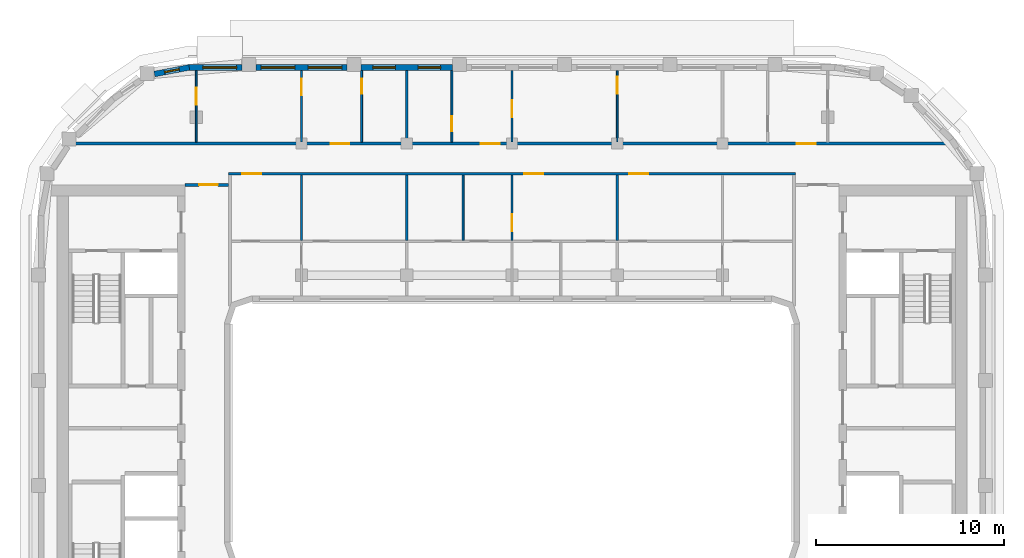
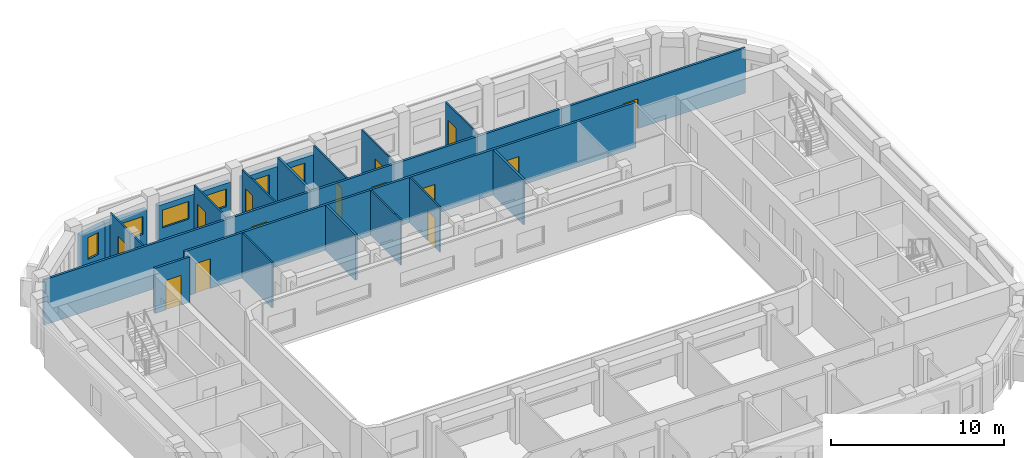
# One storey, part 7 of 16: 19 walls, 14 doors, 6 windows, 20 openings.
"""IFC4 building model written with IfcOpenShell, lengths in metres."""

from ifc_helpers import new_model, si_unit, direction, frame, frame_2d, origin, place, context, subcontext, project, spatial, rectangle, extrude, material, layer, layer_set, type_object, element, fill, save


model = new_model("IFC4")

# Units and contexts
model_context = context("Model", 3, precision=1e-05, world=origin(), true_north=direction((0.0, 1.0)))
body_context = subcontext(model_context, "Body", "Model", "MODEL_VIEW")
ifc_project = project(units=[si_unit("LENGTHUNIT", "METRE"), si_unit("AREAUNIT", "SQUARE_METRE"), si_unit("VOLUMEUNIT", "CUBIC_METRE"), si_unit("PLANEANGLEUNIT", "RADIAN"), si_unit("MASSUNIT", "GRAM", prefix="KILO")], contexts=[model_context])

# Site, building, storey
site_placement = place(None, origin())
site = spatial("IfcSite", under=ifc_project, at=site_placement, CompositionType="ELEMENT")
building_placement = place(site_placement, origin())
building = spatial("IfcBuilding", under=site, at=building_placement, Name="Kiln Ring Residences", CompositionType="ELEMENT")
storey_placement = place(building_placement, frame((0.0, 0.0, 276.699951171875)))
storey = spatial("IfcBuildingStorey", under=building, at=storey_placement, Name="L72", CompositionType="ELEMENT", Elevation=276.699951171875)

# Wall, openings, windows
ifc_material_1 = material(Name="Brick masonry, dark clay brick", Category="masonry")
ifc_layer_1 = layer(ifc_material_1, 0.300048828125)
ifc_layer_set_1 = layer_set([ifc_layer_1], Name="EW-300 BRICK WALL")
wall_type_1 = type_object("IfcWallType", Name="EW-300 BRICK WALL", PredefinedType="SOLIDWALL", material=ifc_layer_set_1)
wall_1_placement = place(storey_placement, frame((-3.175048828125, 19.449951171875, 0.0), z_axis=(0.0, 0.0, 1.0), x_axis=(-1.0, 0.0, 0.0)))
wall_1 = element("IfcWall", 1, at=wall_1_placement, inside=storey, type_object=wall_type_1, Name="Facade wall L72 30", PredefinedType="SOLIDWALL", context=body_context, shape_type="SweptSolid", body=[
    extrude(rectangle(XDim=4.849853515625, YDim=0.300048828125, at=frame_2d((2.4248046875, 0.0))), origin(), (0.0, 0.0, 1.0), 2.550048828125),
])
opening_1_placement = place(wall_1_placement, frame((0.625, 0.0, 0.60009765625)))
opening_1 = element("IfcOpeningElement", 2, at=opening_1_placement, cuts=wall_1, Name="Opening W1", PredefinedType="OPENING", context=body_context, shape_type="SweptSolid", body=[
    extrude(rectangle(XDim=1.199951171875, YDim=1.550048828125, at=frame_2d((0.60009765625, 0.77490234375))), frame((0.0, 0.159912109375, 0.0), z_axis=(0.0, -1.0, 0.0), x_axis=(1.0, 0.0, 0.0)), (0.0, 0.0, 1.0), 0.320068359375),
])
opening_2_placement = place(wall_1_placement, frame((3.02490234375, 0.0, 0.60009765625)))
opening_2 = element("IfcOpeningElement", 3, at=opening_2_placement, cuts=wall_1, Name="Opening W1", PredefinedType="OPENING", context=body_context, shape_type="SweptSolid", body=[
    extrude(rectangle(XDim=1.199951171875, YDim=1.550048828125, at=frame_2d((0.60009765625, 0.77490234375))), frame((0.0, 0.159912109375, 0.0), z_axis=(0.0, -1.0, 0.0), x_axis=(1.0, 0.0, 0.0)), (0.0, 0.0, 1.0), 0.320068359375),
])
ifc_material_2 = material(Name="Aluminium frame with double glazing", Category="aluminium")
window_type_1 = type_object("IfcWindowType", Name="WINDOW 1200 x 1550", PartitioningType="SINGLE_PANEL", PredefinedType="WINDOW", material=ifc_material_2)
window_1_placement = place(opening_1_placement, origin())
window_1 = element("IfcWindow", 4, at=window_1_placement, inside=storey, type_object=window_type_1, Name="Window L72 28", OverallHeight=1.550048828125, OverallWidth=1.199951171875, PartitioningType="SINGLE_PANEL", PredefinedType="WINDOW", context=body_context, shape_type="SweptSolid", body=[
    extrude(rectangle(XDim=1.199951171875, YDim=1.550048828125, at=frame_2d((0.60009765625, 0.77490234375))), frame((0.0, 0.030029296875, 0.0), z_axis=(0.0, -1.0, 0.0), x_axis=(1.0, 0.0, 0.0)), (0.0, 0.0, 1.0), 0.06005859375),
])
fill(opening_1, window_1)
window_2_placement = place(opening_2_placement, origin())
window_2 = element("IfcWindow", 5, at=window_2_placement, inside=storey, type_object=window_type_1, Name="Window L72 29", OverallHeight=1.550048828125, OverallWidth=1.199951171875, PartitioningType="SINGLE_PANEL", PredefinedType="WINDOW", context=body_context, shape_type="SweptSolid", body=[
    extrude(rectangle(XDim=1.199951171875, YDim=1.550048828125, at=frame_2d((0.60009765625, 0.77490234375))), frame((0.0, 0.030029296875, 0.0), z_axis=(0.0, -1.0, 0.0), x_axis=(1.0, 0.0, 0.0)), (0.0, 0.0, 1.0), 0.06005859375),
])
fill(opening_2, window_2)

wall_2_placement = place(storey_placement, frame((-8.77490234375, 19.449951171875, 0.0), z_axis=(0.0, 0.0, 1.0), x_axis=(-1.0, 0.0, 0.0)))
wall_2 = element("IfcWall", 6, at=wall_2_placement, inside=storey, type_object=wall_type_1, Name="Facade wall L72 31", PredefinedType="SOLIDWALL", context=body_context, shape_type="SweptSolid", body=[
    extrude(rectangle(XDim=4.85009765625, YDim=0.300048828125, at=frame_2d((2.425048828125, 0.0))), origin(), (0.0, 0.0, 1.0), 2.550048828125),
])
opening_3_placement = place(wall_2_placement, frame((0.27490234375, 0.0, 0.89990234375)))
opening_3 = element("IfcOpeningElement", 7, at=opening_3_placement, cuts=wall_2, Name="Opening W2", PredefinedType="OPENING", context=body_context, shape_type="SweptSolid", body=[
    extrude(rectangle(XDim=1.800048828125, YDim=1.25, at=frame_2d((0.89990234375, 0.625))), frame((0.0, 0.159912109375, 0.0), z_axis=(0.0, -1.0, 0.0), x_axis=(1.0, 0.0, 0.0)), (0.0, 0.0, 1.0), 0.320068359375),
])
opening_4_placement = place(wall_2_placement, frame((2.77490234375, 0.0, 0.89990234375)))
opening_4 = element("IfcOpeningElement", 8, at=opening_4_placement, cuts=wall_2, Name="Opening W2", PredefinedType="OPENING", context=body_context, shape_type="SweptSolid", body=[
    extrude(rectangle(XDim=1.800048828125, YDim=1.25, at=frame_2d((0.89990234375, 0.625))), frame((0.0, 0.159912109375, 0.0), z_axis=(0.0, -1.0, 0.0), x_axis=(1.0, 0.0, 0.0)), (0.0, 0.0, 1.0), 0.320068359375),
])
ifc_material_3 = material(Name="Aluminium frame with double glazing", Category="aluminium")
window_type_2 = type_object("IfcWindowType", Name="WINDOW 1800 x 1250", PartitioningType="SINGLE_PANEL", PredefinedType="WINDOW", material=ifc_material_3)
window_3_placement = place(opening_3_placement, origin())
window_3 = element("IfcWindow", 9, at=window_3_placement, inside=storey, type_object=window_type_2, Name="Window L72 30", OverallHeight=1.25, OverallWidth=1.800048828125, PartitioningType="SINGLE_PANEL", PredefinedType="WINDOW", context=body_context, shape_type="SweptSolid", body=[
    extrude(rectangle(XDim=1.800048828125, YDim=1.25, at=frame_2d((0.89990234375, 0.625))), frame((0.0, 0.030029296875, 0.0), z_axis=(0.0, -1.0, 0.0), x_axis=(1.0, 0.0, 0.0)), (0.0, 0.0, 1.0), 0.06005859375),
])
fill(opening_3, window_3)
window_4_placement = place(opening_4_placement, origin())
window_4 = element("IfcWindow", 10, at=window_4_placement, inside=storey, type_object=window_type_2, Name="Window L72 31", OverallHeight=1.25, OverallWidth=1.800048828125, PartitioningType="SINGLE_PANEL", PredefinedType="WINDOW", context=body_context, shape_type="SweptSolid", body=[
    extrude(rectangle(XDim=1.800048828125, YDim=1.25, at=frame_2d((0.89990234375, 0.625))), frame((0.0, 0.030029296875, 0.0), z_axis=(0.0, -1.0, 0.0), x_axis=(1.0, 0.0, 0.0)), (0.0, 0.0, 1.0), 0.06005859375),
])
fill(opening_4, window_4)

# Wall, opening, window
wall_3_placement = place(storey_placement, frame((-14.375, 19.449951171875, 0.0), z_axis=(0.0, 0.0, 1.0), x_axis=(-1.0, 0.0, 0.0)))
wall_3 = element("IfcWall", 11, at=wall_3_placement, inside=storey, type_object=wall_type_1, Name="Facade wall L72 32", PredefinedType="SOLIDWALL", context=body_context, shape_type="SweptSolid", body=[
    extrude(rectangle(XDim=2.824951171875, YDim=0.300048828125, at=frame_2d((1.41259765625, 0.0))), origin(), (0.0, 0.0, 1.0), 2.550048828125),
])
opening_5_placement = place(wall_3_placement, frame((0.27490234375, 0.0, 0.89990234375)))
opening_5 = element("IfcOpeningElement", 12, at=opening_5_placement, cuts=wall_3, Name="Opening W2", PredefinedType="OPENING", context=body_context, shape_type="SweptSolid", body=[
    extrude(rectangle(XDim=1.800048828125, YDim=1.25, at=frame_2d((0.89990234375, 0.625))), frame((0.0, 0.159912109375, 0.0), z_axis=(0.0, -1.0, 0.0), x_axis=(1.0, 0.0, 0.0)), (0.0, 0.0, 1.0), 0.320068359375),
])
window_5_placement = place(opening_5_placement, origin())
window_5 = element("IfcWindow", 13, at=window_5_placement, inside=storey, type_object=window_type_2, Name="Window L72 32", OverallHeight=1.25, OverallWidth=1.800048828125, PartitioningType="SINGLE_PANEL", PredefinedType="WINDOW", context=body_context, shape_type="SweptSolid", body=[
    extrude(rectangle(XDim=1.800048828125, YDim=1.25, at=frame_2d((0.89990234375, 0.625))), frame((0.0, 0.030029296875, 0.0), z_axis=(0.0, -1.0, 0.0), x_axis=(1.0, 0.0, 0.0)), (0.0, 0.0, 1.0), 0.06005859375),
])
fill(opening_5, window_5)

wall_4_placement = place(storey_placement, frame((-17.171875, 19.45263671875, 0.0), z_axis=(0.0, 0.0, 1.0), x_axis=(-0.982284001233, -0.187398348234, 0.0)))
wall_4 = element("IfcWall", 14, at=wall_4_placement, inside=storey, type_object=wall_type_1, Name="Facade wall L72 33", PredefinedType="SOLIDWALL", context=body_context, shape_type="SweptSolid", body=[
    extrude(rectangle(XDim=1.88134765625, YDim=0.300048828125, at=frame_2d((0.940673828125, 0.0))), origin(), (0.0, 0.0, 1.0), 2.550048828125),
])
opening_6_placement = place(wall_4_placement, frame((0.54052734375, 0.0, 0.60009765625)))
opening_6 = element("IfcOpeningElement", 15, at=opening_6_placement, cuts=wall_4, Name="Opening W5", PredefinedType="OPENING", context=body_context, shape_type="SweptSolid", body=[
    extrude(rectangle(XDim=0.800048828125, YDim=1.550048828125, at=frame_2d((0.39990234375, 0.77490234375))), frame((0.0, 0.159912109375, 0.0), z_axis=(0.0, -1.0, 0.0), x_axis=(1.0, 0.0, 0.0)), (0.0, 0.0, 1.0), 0.320068359375),
])
ifc_material_4 = material(Name="Aluminium frame with double glazing", Category="aluminium")
window_type_3 = type_object("IfcWindowType", Name="WINDOW 800 x 1550", PartitioningType="SINGLE_PANEL", PredefinedType="WINDOW", material=ifc_material_4)
window_6_placement = place(opening_6_placement, origin())
window_6 = element("IfcWindow", 16, at=window_6_placement, inside=storey, type_object=window_type_3, Name="Window L72 33", OverallHeight=1.550048828125, OverallWidth=0.800048828125, PartitioningType="SINGLE_PANEL", PredefinedType="WINDOW", context=body_context, shape_type="SweptSolid", body=[
    extrude(rectangle(XDim=0.800048828125, YDim=1.550048828125, at=frame_2d((0.39990234375, 0.77490234375))), frame((0.0, 0.030029296875, 0.0), z_axis=(0.0, -1.0, 0.0), x_axis=(1.0, 0.0, 0.0)), (0.0, 0.0, 1.0), 0.06005859375),
])
fill(opening_6, window_6)

# Wall, opening, door
ifc_material_5 = material(Name="Gypsum board on steel studs", Category="steel")
ifc_layer_2 = layer(ifc_material_5, 0.10009765625)
ifc_layer_set_2 = layer_set([ifc_layer_2], Name="PARTITION-100")
wall_type_2 = type_object("IfcWallType", Name="PARTITION-100", PredefinedType="PARTITIONING", material=ifc_layer_set_2)
wall_5_placement = place(storey_placement, frame((-16.800048828125, 15.47509765625, 0.0), z_axis=(0.0, 0.0, 1.0), x_axis=(0.0, 1.0, 0.0)))
wall_5 = element("IfcWall", 17, at=wall_5_placement, inside=storey, type_object=wall_type_2, Name="Partition 010", PredefinedType="PARTITIONING", context=body_context, shape_type="SweptSolid", body=[
    extrude(rectangle(XDim=3.804931640625, YDim=0.10009765625, at=frame_2d((1.90234375, 0.0))), origin(), (0.0, 0.0, 1.0), 3.199951171875),
])
opening_7_placement = place(wall_5_placement, frame((1.985107421875, 0.0, 0.0)))
opening_7 = element("IfcOpeningElement", 18, at=opening_7_placement, cuts=wall_5, Name="Opening L72-D022", PredefinedType="OPENING", context=body_context, shape_type="SweptSolid", body=[
    extrude(rectangle(XDim=0.89990234375, YDim=2.10009765625, at=frame_2d((0.449951171875, 1.050048828125))), frame((0.0, 0.06005859375, 0.0), z_axis=(0.0, -1.0, 0.0), x_axis=(1.0, 0.0, 0.0)), (0.0, 0.0, 1.0), 0.1201171875),
])
ifc_material_6 = material(Name="Timber door leaf", Category="wood")
door_type_1 = type_object("IfcDoorType", Name="FLAT-DOOR-900-PL", OperationType="SINGLE_SWING_LEFT", PredefinedType="DOOR", material=ifc_material_6)
door_1_placement = place(opening_7_placement, origin())
door_1 = element("IfcDoor", 19, at=door_1_placement, inside=storey, type_object=door_type_1, Name="Door L72-D022", OperationType="SINGLE_SWING_LEFT", OverallHeight=2.10009765625, OverallWidth=0.89990234375, PredefinedType="DOOR", context=body_context, shape_type="SweptSolid", body=[
    extrude(rectangle(XDim=0.89990234375, YDim=2.10009765625, at=frame_2d((0.449951171875, 1.050048828125))), frame((0.0, 0.02490234375, 0.0), z_axis=(0.0, -1.0, 0.0), x_axis=(1.0, 0.0, 0.0)), (0.0, 0.0, 1.0), 0.050048828125),
])
fill(opening_7, door_1)

# Wall
wall_6_placement = place(storey_placement, frame((-11.199951171875, 10.25, 0.0), z_axis=(0.0, 0.0, 1.0), x_axis=(0.0, 1.0, 0.0)))
element("IfcWall", 20, at=wall_6_placement, inside=storey, type_object=wall_type_2, Name="Partition 016", PredefinedType="PARTITIONING", context=body_context, shape_type="SweptSolid", body=[
    extrude(rectangle(XDim=3.47509765625, YDim=0.10009765625, at=frame_2d((1.737548828125, 0.0))), origin(), (0.0, 0.0, 1.0), 3.199951171875),
])

# Wall, opening, door
wall_7_placement = place(storey_placement, frame((-11.199951171875, 15.47509765625, 0.0), z_axis=(0.0, 0.0, 1.0), x_axis=(0.0, 1.0, 0.0)))
wall_7 = element("IfcWall", 21, at=wall_7_placement, inside=storey, type_object=wall_type_2, Name="Partition 017", PredefinedType="PARTITIONING", context=body_context, shape_type="SweptSolid", body=[
    extrude(rectangle(XDim=3.804931640625, YDim=0.10009765625, at=frame_2d((1.90234375, 0.0))), origin(), (0.0, 0.0, 1.0), 3.199951171875),
])
opening_8_placement = place(wall_7_placement, frame((2.485107421875, 0.0, 0.0)))
opening_8 = element("IfcOpeningElement", 22, at=opening_8_placement, cuts=wall_7, Name="Opening L72-D021", PredefinedType="OPENING", context=body_context, shape_type="SweptSolid", body=[
    extrude(rectangle(XDim=0.89990234375, YDim=2.10009765625, at=frame_2d((0.449951171875, 1.050048828125))), frame((0.0, 0.06005859375, 0.0), z_axis=(0.0, -1.0, 0.0), x_axis=(1.0, 0.0, 0.0)), (0.0, 0.0, 1.0), 0.1201171875),
])
door_2_placement = place(opening_8_placement, origin())
door_2 = element("IfcDoor", 23, at=door_2_placement, inside=storey, type_object=door_type_1, Name="Door L72-D021", OperationType="SINGLE_SWING_LEFT", OverallHeight=2.10009765625, OverallWidth=0.89990234375, PredefinedType="DOOR", context=body_context, shape_type="SweptSolid", body=[
    extrude(rectangle(XDim=0.89990234375, YDim=2.10009765625, at=frame_2d((0.449951171875, 1.050048828125))), frame((0.0, 0.02490234375, 0.0), z_axis=(0.0, -1.0, 0.0), x_axis=(1.0, 0.0, 0.0)), (0.0, 0.0, 1.0), 0.050048828125),
])
fill(opening_8, door_2)

wall_8_placement = place(storey_placement, frame((-8.0, 15.47509765625, 0.0), z_axis=(0.0, 0.0, 1.0), x_axis=(0.0, 1.0, 0.0)))
wall_8 = element("IfcWall", 24, at=wall_8_placement, inside=storey, type_object=wall_type_2, Name="Partition 019", PredefinedType="PARTITIONING", context=body_context, shape_type="SweptSolid", body=[
    extrude(rectangle(XDim=3.804931640625, YDim=0.10009765625, at=frame_2d((1.90234375, 0.0))), origin(), (0.0, 0.0, 1.0), 3.199951171875),
])
opening_9_placement = place(wall_8_placement, frame((2.575927734375, 0.0, 0.0)))
opening_9 = element("IfcOpeningElement", 25, at=opening_9_placement, cuts=wall_8, Name="Opening L72-D020", PredefinedType="OPENING", context=body_context, shape_type="SweptSolid", body=[
    extrude(rectangle(XDim=0.800048828125, YDim=2.10009765625, at=frame_2d((0.39990234375, 1.050048828125))), frame((0.0, 0.06005859375, 0.0), z_axis=(0.0, -1.0, 0.0), x_axis=(1.0, 0.0, 0.0)), (0.0, 0.0, 1.0), 0.1201171875),
])
ifc_material_7 = material(Name="Timber door leaf", Category="wood")
door_type_2 = type_object("IfcDoorType", Name="FLAT-DOOR-800-PL", OperationType="SINGLE_SWING_LEFT", PredefinedType="DOOR", material=ifc_material_7)
door_3_placement = place(opening_9_placement, origin())
door_3 = element("IfcDoor", 26, at=door_3_placement, inside=storey, type_object=door_type_2, Name="Door L72-D020", OperationType="SINGLE_SWING_RIGHT", OverallHeight=2.10009765625, OverallWidth=0.800048828125, PredefinedType="DOOR", context=body_context, shape_type="SweptSolid", body=[
    extrude(rectangle(XDim=0.800048828125, YDim=2.10009765625, at=frame_2d((0.39990234375, 1.050048828125))), frame((0.0, 0.02490234375, 0.0), z_axis=(0.0, -1.0, 0.0), x_axis=(1.0, 0.0, 0.0)), (0.0, 0.0, 1.0), 0.050048828125),
])
fill(opening_9, door_3)

wall_9_placement = place(storey_placement, frame((-3.199951171875, 15.47509765625, 0.0), z_axis=(0.0, 0.0, 1.0), x_axis=(0.0, 1.0, 0.0)))
wall_9 = element("IfcWall", 27, at=wall_9_placement, inside=storey, type_object=wall_type_2, Name="Partition 026", PredefinedType="PARTITIONING", context=body_context, shape_type="SweptSolid", body=[
    extrude(rectangle(XDim=3.804931640625, YDim=0.10009765625, at=frame_2d((1.90234375, 0.0))), origin(), (0.0, 0.0, 1.0), 3.199951171875),
])
opening_10_placement = place(wall_9_placement, frame((0.5849609375, 0.0, 0.0)))
opening_10 = element("IfcOpeningElement", 28, at=opening_10_placement, cuts=wall_9, Name="Opening L72-D024", PredefinedType="OPENING", context=body_context, shape_type="SweptSolid", body=[
    extrude(rectangle(XDim=0.800048828125, YDim=2.10009765625, at=frame_2d((0.39990234375, 1.050048828125))), frame((0.0, 0.06005859375, 0.0), z_axis=(0.0, -1.0, 0.0), x_axis=(1.0, 0.0, 0.0)), (0.0, 0.0, 1.0), 0.1201171875),
])
door_4_placement = place(opening_10_placement, origin())
door_4 = element("IfcDoor", 29, at=door_4_placement, inside=storey, type_object=door_type_2, Name="Door L72-D024", OperationType="SINGLE_SWING_RIGHT", OverallHeight=2.10009765625, OverallWidth=0.800048828125, PredefinedType="DOOR", context=body_context, shape_type="SweptSolid", body=[
    extrude(rectangle(XDim=0.800048828125, YDim=2.10009765625, at=frame_2d((0.39990234375, 1.050048828125))), frame((0.0, 0.02490234375, 0.0), z_axis=(0.0, -1.0, 0.0), x_axis=(1.0, 0.0, 0.0)), (0.0, 0.0, 1.0), 0.050048828125),
])
fill(opening_10, door_4)

# Wall
wall_10_placement = place(storey_placement, frame((-2.60009765625, 10.25, 0.0), z_axis=(0.0, 0.0, 1.0), x_axis=(0.0, 1.0, 0.0)))
element("IfcWall", 30, at=wall_10_placement, inside=storey, type_object=wall_type_2, Name="Partition 027", PredefinedType="PARTITIONING", context=body_context, shape_type="SweptSolid", body=[
    extrude(rectangle(XDim=3.47509765625, YDim=0.10009765625, at=frame_2d((1.737548828125, 0.0))), origin(), (0.0, 0.0, 1.0), 3.199951171875),
])

# Wall, opening, door
wall_11_placement = place(storey_placement, frame((0.0, 10.25, 0.0), z_axis=(0.0, 0.0, 1.0), x_axis=(0.0, 1.0, 0.0)))
wall_11 = element("IfcWall", 31, at=wall_11_placement, inside=storey, type_object=wall_type_2, Name="Partition 031", PredefinedType="PARTITIONING", context=body_context, shape_type="SweptSolid", body=[
    extrude(rectangle(XDim=3.47509765625, YDim=0.10009765625, at=frame_2d((1.737548828125, 0.0))), origin(), (0.0, 0.0, 1.0), 3.199951171875),
])
opening_11_placement = place(wall_11_placement, frame((0.4990234375, 0.0, 0.0)))
opening_11 = element("IfcOpeningElement", 32, at=opening_11_placement, cuts=wall_11, Name="Opening L72-D010", PredefinedType="OPENING", context=body_context, shape_type="SweptSolid", body=[
    extrude(rectangle(XDim=0.89990234375, YDim=2.10009765625, at=frame_2d((0.449951171875, 1.050048828125))), frame((0.0, 0.06005859375, 0.0), z_axis=(0.0, -1.0, 0.0), x_axis=(1.0, 0.0, 0.0)), (0.0, 0.0, 1.0), 0.1201171875),
])
door_5_placement = place(opening_11_placement, origin())
door_5 = element("IfcDoor", 33, at=door_5_placement, inside=storey, type_object=door_type_1, Name="Door L72-D010", OperationType="SINGLE_SWING_RIGHT", OverallHeight=2.10009765625, OverallWidth=0.89990234375, PredefinedType="DOOR", context=body_context, shape_type="SweptSolid", body=[
    extrude(rectangle(XDim=0.89990234375, YDim=2.10009765625, at=frame_2d((0.449951171875, 1.050048828125))), frame((0.0, 0.02490234375, 0.0), z_axis=(0.0, -1.0, 0.0), x_axis=(1.0, 0.0, 0.0)), (0.0, 0.0, 1.0), 0.050048828125),
])
fill(opening_11, door_5)

wall_12_placement = place(storey_placement, frame((0.0, 15.47509765625, 0.0), z_axis=(0.0, 0.0, 1.0), x_axis=(0.0, 1.0, 0.0)))
wall_12 = element("IfcWall", 34, at=wall_12_placement, inside=storey, type_object=wall_type_2, Name="Partition 032", PredefinedType="PARTITIONING", context=body_context, shape_type="SweptSolid", body=[
    extrude(rectangle(XDim=3.804931640625, YDim=0.10009765625, at=frame_2d((1.90234375, 0.0))), origin(), (0.0, 0.0, 1.0), 3.199951171875),
])
opening_12_placement = place(wall_12_placement, frame((1.325927734375, 0.0, 0.0)))
opening_12 = element("IfcOpeningElement", 35, at=opening_12_placement, cuts=wall_12, Name="Opening L72-D025", PredefinedType="OPENING", context=body_context, shape_type="SweptSolid", body=[
    extrude(rectangle(XDim=0.89990234375, YDim=2.10009765625, at=frame_2d((0.449951171875, 1.050048828125))), frame((0.0, 0.06005859375, 0.0), z_axis=(0.0, -1.0, 0.0), x_axis=(1.0, 0.0, 0.0)), (0.0, 0.0, 1.0), 0.1201171875),
])
door_6_placement = place(opening_12_placement, origin())
door_6 = element("IfcDoor", 36, at=door_6_placement, inside=storey, type_object=door_type_1, Name="Door L72-D025", OperationType="SINGLE_SWING_LEFT", OverallHeight=2.10009765625, OverallWidth=0.89990234375, PredefinedType="DOOR", context=body_context, shape_type="SweptSolid", body=[
    extrude(rectangle(XDim=0.89990234375, YDim=2.10009765625, at=frame_2d((0.449951171875, 1.050048828125))), frame((0.0, 0.02490234375, 0.0), z_axis=(0.0, -1.0, 0.0), x_axis=(1.0, 0.0, 0.0)), (0.0, 0.0, 1.0), 0.050048828125),
])
fill(opening_12, door_6)

wall_13_placement = place(storey_placement, frame((5.60009765625, 15.47509765625, 0.0), z_axis=(0.0, 0.0, 1.0), x_axis=(0.0, 1.0, 0.0)))
wall_13 = element("IfcWall", 37, at=wall_13_placement, inside=storey, type_object=wall_type_2, Name="Partition 035", PredefinedType="PARTITIONING", context=body_context, shape_type="SweptSolid", body=[
    extrude(rectangle(XDim=3.804931640625, YDim=0.10009765625, at=frame_2d((1.90234375, 0.0))), origin(), (0.0, 0.0, 1.0), 3.199951171875),
])
opening_13_placement = place(wall_13_placement, frame((2.575927734375, 0.0, 0.0)))
opening_13 = element("IfcOpeningElement", 38, at=opening_13_placement, cuts=wall_13, Name="Opening L72-D026", PredefinedType="OPENING", context=body_context, shape_type="SweptSolid", body=[
    extrude(rectangle(XDim=0.89990234375, YDim=2.10009765625, at=frame_2d((0.449951171875, 1.050048828125))), frame((0.0, 0.06005859375, 0.0), z_axis=(0.0, -1.0, 0.0), x_axis=(1.0, 0.0, 0.0)), (0.0, 0.0, 1.0), 0.1201171875),
])
door_7_placement = place(opening_13_placement, origin())
door_7 = element("IfcDoor", 39, at=door_7_placement, inside=storey, type_object=door_type_1, Name="Door L72-D026", OperationType="SINGLE_SWING_RIGHT", OverallHeight=2.10009765625, OverallWidth=0.89990234375, PredefinedType="DOOR", context=body_context, shape_type="SweptSolid", body=[
    extrude(rectangle(XDim=0.89990234375, YDim=2.10009765625, at=frame_2d((0.449951171875, 1.050048828125))), frame((0.0, 0.02490234375, 0.0), z_axis=(0.0, -1.0, 0.0), x_axis=(1.0, 0.0, 0.0)), (0.0, 0.0, 1.0), 0.050048828125),
])
fill(opening_13, door_7)

ifc_material_8 = material(Name="Brick masonry partition", Category="masonry")
ifc_layer_3 = layer(ifc_material_8, 0.14990234375)
ifc_layer_set_3 = layer_set([ifc_layer_3], Name="PARTITION-150-ei60")
wall_type_3 = type_object("IfcWallType", Name="PARTITION-150-ei60", PredefinedType="PARTITIONING", material=ifc_layer_set_3)
wall_14_placement = place(storey_placement, frame((-17.39990234375, 13.199951171875, 0.0), z_axis=(0.0, 0.0, 1.0), x_axis=(1.0, 0.0, 0.0)))
wall_14 = element("IfcWall", 40, at=wall_14_placement, inside=storey, type_object=wall_type_3, Name="Partition 005", PredefinedType="PARTITIONING", context=body_context, shape_type="SweptSolid", body=[
    extrude(rectangle(XDim=2.324951171875, YDim=0.14990234375, at=frame_2d((1.16259765625, 0.0))), origin(), (0.0, 0.0, 1.0), 3.199951171875),
])
opening_14_placement = place(wall_14_placement, frame((0.75, 0.0, 0.0)))
opening_14 = element("IfcOpeningElement", 41, at=opening_14_placement, cuts=wall_14, Name="Opening L72-D001", PredefinedType="OPENING", context=body_context, shape_type="SweptSolid", body=[
    extrude(rectangle(XDim=1.0, YDim=2.10009765625, at=frame_2d((0.5, 1.050048828125))), frame((0.0, 0.0849609375, 0.0), z_axis=(0.0, -1.0, 0.0), x_axis=(1.0, 0.0, 0.0)), (0.0, 0.0, 1.0), 0.169921875),
])
ifc_material_9 = material(Name="Steel faced fire door leaf", Category="steel")
door_type_3 = type_object("IfcDoorType", Name="FLAT-DOOR-1000-FR", OperationType="SINGLE_SWING_LEFT", PredefinedType="DOOR", material=ifc_material_9)
door_8_placement = place(opening_14_placement, origin())
door_8 = element("IfcDoor", 42, at=door_8_placement, inside=storey, type_object=door_type_3, Name="Door L72-D001", OperationType="SINGLE_SWING_RIGHT", OverallHeight=2.10009765625, OverallWidth=1.0, PredefinedType="DOOR", context=body_context, shape_type="SweptSolid", body=[
    extrude(rectangle(XDim=1.0, YDim=2.10009765625, at=frame_2d((0.5, 1.050048828125))), frame((0.0, 0.02490234375, 0.0), z_axis=(0.0, -1.0, 0.0), x_axis=(1.0, 0.0, 0.0)), (0.0, 0.0, 1.0), 0.050048828125),
])
fill(opening_14, door_8)

# Wall, openings, doors
wall_15_placement = place(storey_placement, frame((-15.074951171875, 13.800048828125, 0.0), z_axis=(0.0, 0.0, 1.0), x_axis=(1.0, 0.0, 0.0)))
wall_15 = element("IfcWall", 43, at=wall_15_placement, inside=storey, type_object=wall_type_3, Name="Partition 007", PredefinedType="PARTITIONING", context=body_context, shape_type="SweptSolid", body=[
    extrude(rectangle(XDim=30.14990234375, YDim=0.14990234375, at=frame_2d((15.074951171875, 0.0))), origin(), (0.0, 0.0, 1.0), 3.199951171875),
])
opening_15_placement = place(wall_15_placement, frame((0.72607421875, 0.0, 0.0)))
opening_15 = element("IfcOpeningElement", 44, at=opening_15_placement, cuts=wall_15, Name="Opening L72-D005", PredefinedType="OPENING", context=body_context, shape_type="SweptSolid", body=[
    extrude(rectangle(XDim=1.0, YDim=2.10009765625, at=frame_2d((0.5, 1.050048828125))), frame((0.0, 0.0849609375, 0.0), z_axis=(0.0, -1.0, 0.0), x_axis=(1.0, 0.0, 0.0)), (0.0, 0.0, 1.0), 0.169921875),
])
opening_16_placement = place(wall_15_placement, frame((15.72509765625, 0.0, 0.0)))
opening_16 = element("IfcOpeningElement", 45, at=opening_16_placement, cuts=wall_15, Name="Opening L72-D009", PredefinedType="OPENING", context=body_context, shape_type="SweptSolid", body=[
    extrude(rectangle(XDim=1.0, YDim=2.10009765625, at=frame_2d((0.5, 1.050048828125))), frame((0.0, 0.0849609375, 0.0), z_axis=(0.0, -1.0, 0.0), x_axis=(1.0, 0.0, 0.0)), (0.0, 0.0, 1.0), 0.169921875),
])
opening_17_placement = place(wall_15_placement, frame((21.324951171875, 0.0, 0.0)))
opening_17 = element("IfcOpeningElement", 46, at=opening_17_placement, cuts=wall_15, Name="Opening L72-D015", PredefinedType="OPENING", context=body_context, shape_type="SweptSolid", body=[
    extrude(rectangle(XDim=1.0, YDim=2.10009765625, at=frame_2d((0.5, 1.050048828125))), frame((0.0, 0.0849609375, 0.0), z_axis=(0.0, -1.0, 0.0), x_axis=(1.0, 0.0, 0.0)), (0.0, 0.0, 1.0), 0.169921875),
])
door_9_placement = place(opening_15_placement, origin())
door_9 = element("IfcDoor", 47, at=door_9_placement, inside=storey, type_object=door_type_3, Name="Door L72-D005", OperationType="SINGLE_SWING_LEFT", OverallHeight=2.10009765625, OverallWidth=1.0, PredefinedType="DOOR", context=body_context, shape_type="SweptSolid", body=[
    extrude(rectangle(XDim=1.0, YDim=2.10009765625, at=frame_2d((0.5, 1.050048828125))), frame((0.0, 0.02490234375, 0.0), z_axis=(0.0, -1.0, 0.0), x_axis=(1.0, 0.0, 0.0)), (0.0, 0.0, 1.0), 0.050048828125),
])
fill(opening_15, door_9)
door_10_placement = place(opening_16_placement, origin())
door_10 = element("IfcDoor", 48, at=door_10_placement, inside=storey, type_object=door_type_3, Name="Door L72-D009", OperationType="SINGLE_SWING_LEFT", OverallHeight=2.10009765625, OverallWidth=1.0, PredefinedType="DOOR", context=body_context, shape_type="SweptSolid", body=[
    extrude(rectangle(XDim=1.0, YDim=2.10009765625, at=frame_2d((0.5, 1.050048828125))), frame((0.0, 0.02490234375, 0.0), z_axis=(0.0, -1.0, 0.0), x_axis=(1.0, 0.0, 0.0)), (0.0, 0.0, 1.0), 0.050048828125),
])
fill(opening_16, door_10)
door_11_placement = place(opening_17_placement, origin())
door_11 = element("IfcDoor", 49, at=door_11_placement, inside=storey, type_object=door_type_3, Name="Door L72-D015", OperationType="SINGLE_SWING_LEFT", OverallHeight=2.10009765625, OverallWidth=1.0, PredefinedType="DOOR", context=body_context, shape_type="SweptSolid", body=[
    extrude(rectangle(XDim=1.0, YDim=2.10009765625, at=frame_2d((0.5, 1.050048828125))), frame((0.0, 0.02490234375, 0.0), z_axis=(0.0, -1.0, 0.0), x_axis=(1.0, 0.0, 0.0)), (0.0, 0.0, 1.0), 0.050048828125),
])
fill(opening_17, door_11)

wall_16_placement = place(storey_placement, frame((-23.550048828125, 15.39990234375, 0.0), z_axis=(0.0, 0.0, 1.0), x_axis=(1.0, 0.0, 0.0)))
wall_16 = element("IfcWall", 50, at=wall_16_placement, inside=storey, type_object=wall_type_3, Name="Partition 008", PredefinedType="PARTITIONING", context=body_context, shape_type="SweptSolid", body=[
    extrude(rectangle(XDim=46.8720703125, YDim=0.14990234375, at=frame_2d((23.43603515625, 0.0))), origin(), (0.0, 0.0, 1.0), 3.199951171875),
])
opening_18_placement = place(wall_16_placement, frame((13.89990234375, 0.0, 0.0)))
opening_18 = element("IfcOpeningElement", 51, at=opening_18_placement, cuts=wall_16, Name="Opening L72-D019", PredefinedType="OPENING", context=body_context, shape_type="SweptSolid", body=[
    extrude(rectangle(XDim=1.0, YDim=2.10009765625, at=frame_2d((0.5, 1.050048828125))), frame((0.0, 0.0849609375, 0.0), z_axis=(0.0, -1.0, 0.0), x_axis=(1.0, 0.0, 0.0)), (0.0, 0.0, 1.0), 0.169921875),
])
opening_19_placement = place(wall_16_placement, frame((21.89990234375, 0.0, 0.0)))
opening_19 = element("IfcOpeningElement", 52, at=opening_19_placement, cuts=wall_16, Name="Opening L72-D023", PredefinedType="OPENING", context=body_context, shape_type="SweptSolid", body=[
    extrude(rectangle(XDim=1.0, YDim=2.10009765625, at=frame_2d((0.5, 1.050048828125))), frame((0.0, 0.0849609375, 0.0), z_axis=(0.0, -1.0, 0.0), x_axis=(1.0, 0.0, 0.0)), (0.0, 0.0, 1.0), 0.169921875),
])
opening_20_placement = place(wall_16_placement, frame((38.699951171875, 0.0, 0.0)))
opening_20 = element("IfcOpeningElement", 53, at=opening_20_placement, cuts=wall_16, Name="Opening L72-D027", PredefinedType="OPENING", context=body_context, shape_type="SweptSolid", body=[
    extrude(rectangle(XDim=1.0, YDim=2.10009765625, at=frame_2d((0.5, 1.050048828125))), frame((0.0, 0.0849609375, 0.0), z_axis=(0.0, -1.0, 0.0), x_axis=(1.0, 0.0, 0.0)), (0.0, 0.0, 1.0), 0.169921875),
])
door_12_placement = place(opening_18_placement, origin())
door_12 = element("IfcDoor", 54, at=door_12_placement, inside=storey, type_object=door_type_3, Name="Door L72-D019", OperationType="SINGLE_SWING_LEFT", OverallHeight=2.10009765625, OverallWidth=1.0, PredefinedType="DOOR", context=body_context, shape_type="SweptSolid", body=[
    extrude(rectangle(XDim=1.0, YDim=2.10009765625, at=frame_2d((0.5, 1.050048828125))), frame((0.0, 0.02490234375, 0.0), z_axis=(0.0, -1.0, 0.0), x_axis=(1.0, 0.0, 0.0)), (0.0, 0.0, 1.0), 0.050048828125),
])
fill(opening_18, door_12)
door_13_placement = place(opening_19_placement, origin())
door_13 = element("IfcDoor", 55, at=door_13_placement, inside=storey, type_object=door_type_3, Name="Door L72-D023", OperationType="SINGLE_SWING_LEFT", OverallHeight=2.10009765625, OverallWidth=1.0, PredefinedType="DOOR", context=body_context, shape_type="SweptSolid", body=[
    extrude(rectangle(XDim=1.0, YDim=2.10009765625, at=frame_2d((0.5, 1.050048828125))), frame((0.0, 0.02490234375, 0.0), z_axis=(0.0, -1.0, 0.0), x_axis=(1.0, 0.0, 0.0)), (0.0, 0.0, 1.0), 0.050048828125),
])
fill(opening_19, door_13)
door_14_placement = place(opening_20_placement, origin())
door_14 = element("IfcDoor", 56, at=door_14_placement, inside=storey, type_object=door_type_3, Name="Door L72-D027", OperationType="SINGLE_SWING_LEFT", OverallHeight=2.10009765625, OverallWidth=1.0, PredefinedType="DOOR", context=body_context, shape_type="SweptSolid", body=[
    extrude(rectangle(XDim=1.0, YDim=2.10009765625, at=frame_2d((0.5, 1.050048828125))), frame((0.0, 0.02490234375, 0.0), z_axis=(0.0, -1.0, 0.0), x_axis=(1.0, 0.0, 0.0)), (0.0, 0.0, 1.0), 0.050048828125),
])
fill(opening_20, door_14)

# Walls
wall_17_placement = place(storey_placement, frame((-5.60009765625, 10.25, 0.0), z_axis=(0.0, 0.0, 1.0), x_axis=(0.0, 1.0, 0.0)))
element("IfcWall", 57, at=wall_17_placement, inside=storey, type_object=wall_type_3, Name="Partition 023", PredefinedType="PARTITIONING", context=body_context, shape_type="SweptSolid", body=[
    extrude(rectangle(XDim=3.47509765625, YDim=0.14990234375, at=frame_2d((1.737548828125, 0.0))), origin(), (0.0, 0.0, 1.0), 3.199951171875),
])
wall_18_placement = place(storey_placement, frame((-5.60009765625, 15.47509765625, 0.0), z_axis=(0.0, 0.0, 1.0), x_axis=(0.0, 1.0, 0.0)))
element("IfcWall", 58, at=wall_18_placement, inside=storey, type_object=wall_type_3, Name="Partition 024", PredefinedType="PARTITIONING", context=body_context, shape_type="SweptSolid", body=[
    extrude(rectangle(XDim=3.804931640625, YDim=0.14990234375, at=frame_2d((1.90234375, 0.0))), origin(), (0.0, 0.0, 1.0), 3.199951171875),
])
wall_19_placement = place(storey_placement, frame((5.60009765625, 10.25, 0.0), z_axis=(0.0, 0.0, 1.0), x_axis=(0.0, 1.0, 0.0)))
element("IfcWall", 59, at=wall_19_placement, inside=storey, type_object=wall_type_3, Name="Partition 038", PredefinedType="PARTITIONING", context=body_context, shape_type="SweptSolid", body=[
    extrude(rectangle(XDim=3.47509765625, YDim=0.14990234375, at=frame_2d((1.737548828125, 0.0))), origin(), (0.0, 0.0, 1.0), 3.199951171875),
])

save(model, "model.ifc")
